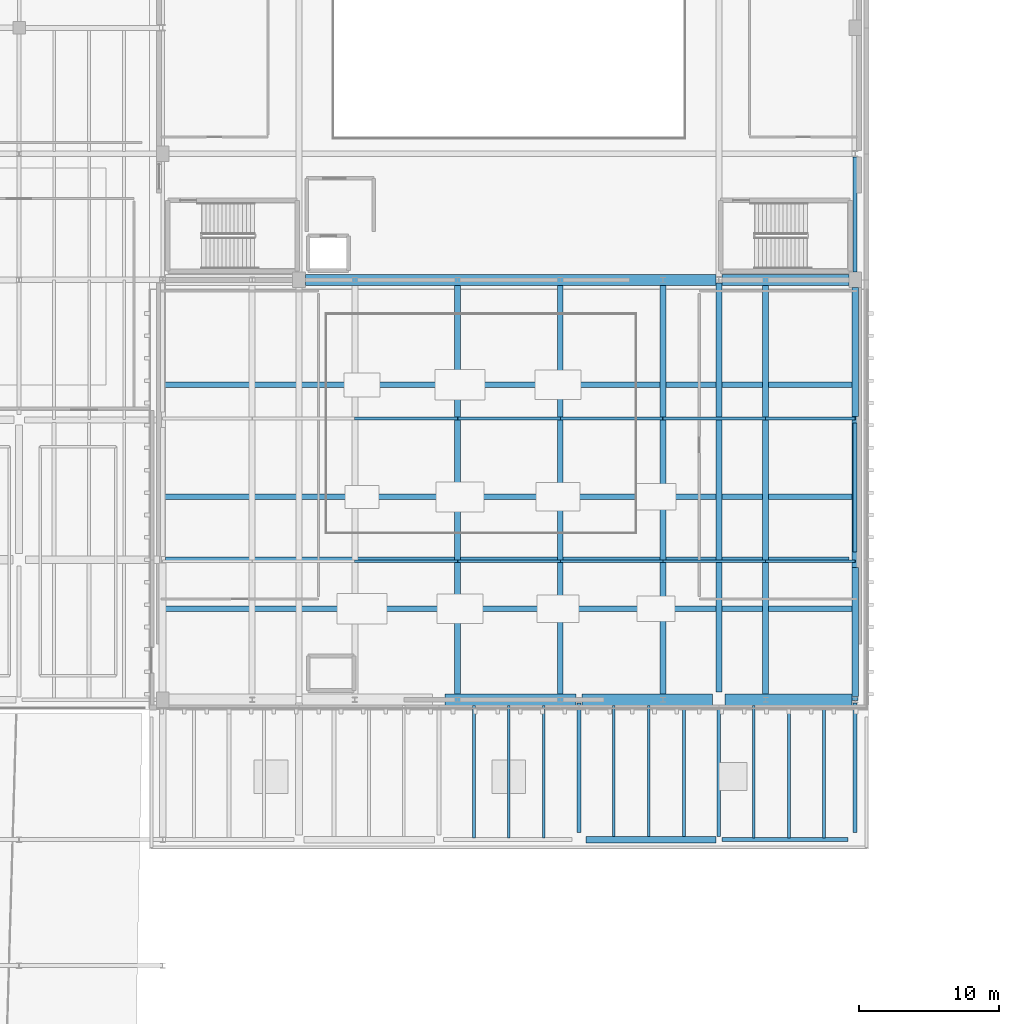
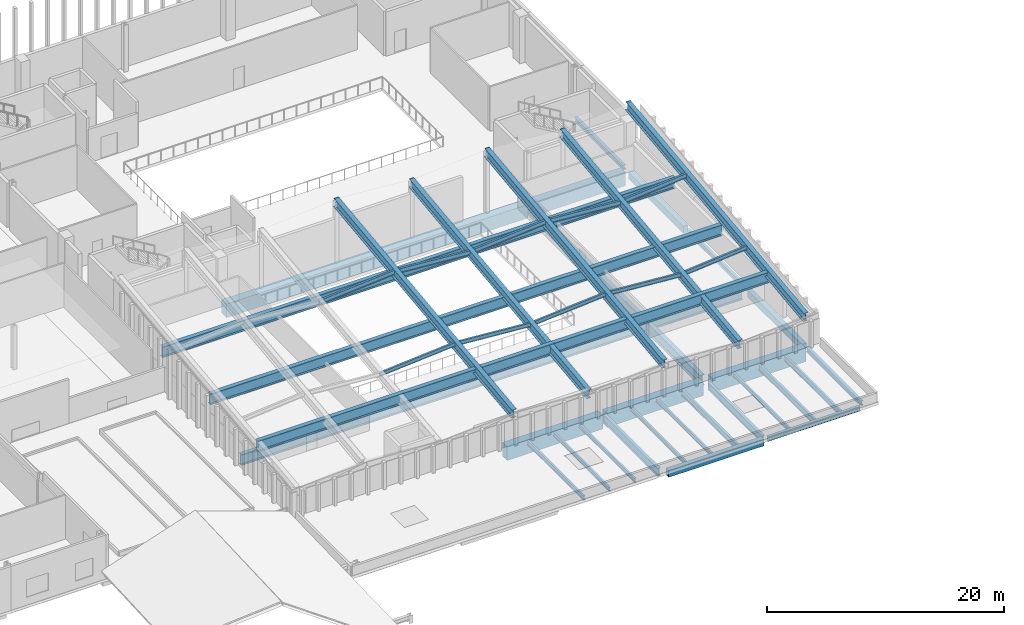
# One storey, part 13 of 30: 33 beams, 10 members.
"""IFC4 building model written with IfcOpenShell, lengths in metres."""

import ifcopenshell
import ifcopenshell.guid

model = None  # the IFC model being written
_history = None  # IfcOwnerHistory: only IFC2X3 demands one
_inside = {}  # id of a spatial element -> (the spatial element, [elements in it])
_under = {}  # id of a project, library or spatial element -> (it, [spatial elements below it])
_declared = {}  # id of a project -> (the project, [libraries it declares])
_typed = {}  # id of a type object -> (the type object, [elements of that type])
_made_of = {}  # id of a material, layer set ... -> (it, [elements and type objects made of it])


def new_model(schema):
    """Start an empty IFC model of exactly this schema.

    Asked for "IFC4X3", IfcOpenShell would pick the latest addendum, in which some entities
    have other attributes; the version numbers below select the first issue.
    IFC2X3 requires an IfcOwnerHistory on every rooted entity: one is made here for all.
    """
    global model, _history
    if schema == "IFC4X3":
        model = ifcopenshell.file(schema_version=(4, 3, 0, 0))
    else:
        model = ifcopenshell.file(schema=schema)
    _inside.clear()
    _under.clear()
    _declared.clear()
    _typed.clear()
    _made_of.clear()
    _history = None
    if model.schema == "IFC2X3":
        org = make("IfcOrganization", Name="unknown")
        user = make(
            "IfcPersonAndOrganization",
            ThePerson=make("IfcPerson", FamilyName="unknown"),
            TheOrganization=org,
        )
        app = make(
            "IfcApplication",
            ApplicationDeveloper=org,
            Version="unknown",
            ApplicationFullName="unknown",
            ApplicationIdentifier="unknown",
        )
        _history = make(
            "IfcOwnerHistory",
            OwningUser=user,
            OwningApplication=app,
            ChangeAction="ADDED",
            CreationDate=0,
        )
    return model


def make(cls, **values):
    """One entity of the class cls with the attributes given. An attribute that is None is left unset."""
    return model.create_entity(
        cls, **{name: value for name, value in values.items() if value is not None}
    )


def rooted(cls, **values):
    """An entity with a GlobalId (a new one), such as an element, a storey or a relation."""
    return make(cls, GlobalId=ifcopenshell.guid.new(), OwnerHistory=_history, **values)


def si_unit(unit_type, name, prefix=None):
    """IfcSIUnit, for example si_unit("LENGTHUNIT", "METRE", prefix="MILLI")."""
    return make("IfcSIUnit", UnitType=unit_type, Prefix=prefix, Name=name)


def assignment(units):
    """IfcUnitAssignment: the units of a project."""
    return None if units is None else make("IfcUnitAssignment", Units=units)


def point(xyz):
    """IfcCartesianPoint."""
    return None if xyz is None else make("IfcCartesianPoint", Coordinates=xyz)


def direction(xyz):
    """IfcDirection."""
    return None if xyz is None else make("IfcDirection", DirectionRatios=xyz)


def frame(location, z_axis=None, x_axis=None):
    """IfcAxis2Placement3D, a coordinate frame: its origin and axes. An axis left out is left unset."""
    return make(
        "IfcAxis2Placement3D",
        Location=point(location),
        Axis=direction(z_axis),
        RefDirection=direction(x_axis),
    )


def frame_2d(location, x_axis=None):
    """IfcAxis2Placement2D, a coordinate frame in the plane: its origin and x axis."""
    return make(
        "IfcAxis2Placement2D", Location=point(location), RefDirection=direction(x_axis)
    )


def origin():
    """The frame at (0, 0, 0) with its axes left unset."""
    return frame((0.0, 0.0, 0.0))


def origin_2d():
    """The frame at (0, 0) in the plane with its x axis left unset."""
    return frame_2d((0.0, 0.0))


def place(relative_to, where):
    """IfcLocalPlacement: puts the frame where relative to a parent placement (None: the world)."""
    return make(
        "IfcLocalPlacement", PlacementRelTo=relative_to, RelativePlacement=where
    )


def context(
    kind, dimensions, precision=None, world=None, true_north=None, identifier=None
):
    """IfcGeometricRepresentationContext, for example the 3D "Model" context."""
    return make(
        "IfcGeometricRepresentationContext",
        ContextIdentifier=identifier,
        ContextType=kind,
        CoordinateSpaceDimension=dimensions,
        Precision=precision,
        WorldCoordinateSystem=world,
        TrueNorth=true_north,
    )


def subcontext(parent, identifier, kind, view, scale=None):
    """IfcGeometricRepresentationSubContext, for example "Body" below "Model"."""
    return make(
        "IfcGeometricRepresentationSubContext",
        ContextIdentifier=identifier,
        ContextType=kind,
        ParentContext=parent,
        TargetScale=scale,
        TargetView=view,
    )


def project(units=None, contexts=None):
    """IfcProject with its units and contexts."""
    return rooted(
        "IfcProject",
        Name="project",
        RepresentationContexts=contexts,
        UnitsInContext=assignment(units),
    )


def spatial(cls, under=None, at=None, **own):
    """A site, building, storey or space (cls), placed at a placement, below another one or the project."""
    s = rooted(cls, ObjectPlacement=at, **own)
    if under is not None:
        _under.setdefault(under.id(), (under, []))[1].append(s)
    return s


def profile(cls, at=None, kind="AREA", **sizes):
    """A parametric profile (cls). Its sizes go by their IFC names, for example OverallWidth=200.0."""
    return make(cls, ProfileType=kind, Position=at, **sizes)


def rectangle(**sizes):
    """IfcRectangleProfileDef."""
    return profile("IfcRectangleProfileDef", **sizes)


def i_section(**sizes):
    """IfcIShapeProfileDef."""
    return profile("IfcIShapeProfileDef", **sizes)


def extrude(swept, where, along, depth):
    """IfcExtrudedAreaSolid: the profile swept, set in the frame where, extruded along a direction by depth."""
    return make(
        "IfcExtrudedAreaSolid",
        SweptArea=swept,
        Position=where,
        ExtrudedDirection=direction(along),
        Depth=depth,
    )


def shape(context_of_items, identifier, shape_type, items):
    """IfcShapeRepresentation: the items that make up one representation, for example the "Body"."""
    return make(
        "IfcShapeRepresentation",
        ContextOfItems=context_of_items,
        RepresentationIdentifier=identifier,
        RepresentationType=shape_type,
        Items=items,
    )


def material(Name=None, Category=None):
    """IfcMaterial."""
    return make("IfcMaterial", Name=Name, Category=Category)


def material_profile(
    of_material, cross_section, Name=None, Category=None, Priority=None
):
    """IfcMaterialProfile: a cross section and its material."""
    return make(
        "IfcMaterialProfile",
        Name=Name,
        Material=of_material,
        Profile=cross_section,
        Priority=Priority,
        Category=Category,
    )


def profile_set(profiles, Name=None, composite=None):
    """IfcMaterialProfileSet."""
    return make(
        "IfcMaterialProfileSet",
        Name=Name,
        MaterialProfiles=profiles,
        CompositeProfile=composite,
    )


def made_of(thing, what):
    """Note that an element or type object is made of a material, layer set ...; save() writes the relation."""
    if what is not None:
        _made_of.setdefault(what.id(), (what, []))[1].append(thing)
    return thing


def type_object(cls, material=None, **own):
    """A type object (cls), such as IfcWallType, which elements share."""
    return made_of(rooted(cls, **own), material)


def element(
    cls,
    number,
    at=None,
    inside=None,
    cuts=None,
    type_object=None,
    material=None,
    context=None,
    identifier="Body",
    shape_type=None,
    held_by="IfcProductDefinitionShape",
    body=None,
    shapes=None,
    **own,
):
    """One element of the class cls, such as IfcWall. Its Tag is "e" and its number.

    at: its placement. inside: the storey or other place that contains it. cuts: it is an
    opening in that element (IfcRelVoidsElement). A single representation is given by context,
    identifier, shape_type and body (its items); several are given by shapes. held_by: the class
    of the entity that holds the representations. save() writes the other relations.
    """
    e = rooted(cls, Tag="e%d" % number, ObjectPlacement=at, **own)
    if body is not None:
        shapes = [shape(context, identifier, shape_type, body)]
    if shapes is not None:
        e.Representation = make(held_by, Representations=shapes)
    if inside is not None:
        _inside.setdefault(inside.id(), (inside, []))[1].append(e)
    if cuts is not None:
        rooted(
            "IfcRelVoidsElement", RelatingBuildingElement=cuts, RelatedOpeningElement=e
        )
    if type_object is not None:
        _typed.setdefault(type_object.id(), (type_object, []))[1].append(e)
    return made_of(e, material)


def aggregate(whole, parts):
    """IfcRelAggregates: a whole, such as a stair, and the parts it consists of."""
    return rooted("IfcRelAggregates", RelatingObject=whole, RelatedObjects=parts)


def save(model, path):
    """Write the relations noted so far, then the file.

    IfcRelAggregates (storeys below a building ...), IfcRelContainedInSpatialStructure (elements
    in a storey), IfcRelDefinesByType, IfcRelAssociatesMaterial and IfcRelDeclares: one each for
    every whole, place, type object, material and project.
    """
    for whole, parts in _under.values():
        aggregate(whole, parts)
    for where, things in _inside.values():
        rooted(
            "IfcRelContainedInSpatialStructure",
            RelatedElements=things,
            RelatingStructure=where,
        )
    for kind, things in _typed.values():
        rooted("IfcRelDefinesByType", RelatedObjects=things, RelatingType=kind)
    for what, things in _made_of.values():
        rooted("IfcRelAssociatesMaterial", RelatedObjects=things, RelatingMaterial=what)
    for by, libraries in _declared.values():
        rooted("IfcRelDeclares", RelatingContext=by, RelatedDefinitions=libraries)
    model.write(path)


model = new_model("IFC4")

# Units and contexts
model_context = context("Model", 3, precision=1e-05, world=origin(), true_north=direction((0.0, 1.0)))
body_context = subcontext(model_context, "Body", "Model", "MODEL_VIEW")
ifc_project = project(units=[si_unit("LENGTHUNIT", "METRE"), si_unit("AREAUNIT", "SQUARE_METRE"), si_unit("VOLUMEUNIT", "CUBIC_METRE"), si_unit("PLANEANGLEUNIT", "RADIAN"), si_unit("MASSUNIT", "GRAM", prefix="KILO")], contexts=[model_context])

# Site, building, storey
site_placement = place(None, origin())
site = spatial("IfcSite", under=ifc_project, at=site_placement, CompositionType="ELEMENT")
building_placement = place(site_placement, origin())
building = spatial("IfcBuilding", under=site, at=building_placement, Name="Trimount Lyric Opera House", CompositionType="ELEMENT")
storey_placement = place(building_placement, frame((0.0, 0.0, 24.800048828125)))
storey = spatial("IfcBuildingStorey", under=building, at=storey_placement, Name="L05", CompositionType="ELEMENT", Elevation=24.800048828125)

# Beams
ifc_material_1 = material(Name="Steel ASTM A992 Grade 50", Category="steel")
ifc_material_profile_1 = material_profile(ifc_material_1, i_section(OverallWidth=0.424072265625, OverallDepth=0.947021484375, WebThickness=0.02392578125, FlangeThickness=0.042724609375, FilletRadius=0.02392578125, at=origin_2d()), Name="W36X302")
ifc_profile_set_1 = profile_set([ifc_material_profile_1], Name="Steel ASTM A992 Grade 50")
beam_type_1 = type_object("IfcBeamType", Name="B-01", PredefinedType="BEAM", material=ifc_profile_set_1)
for number, where, z_axis, x_axis, name in (
    (1, (85.33154296875, 54.0, 2.576416015625), (0.0, 0.992758415213, 0.120127969367), (-1.0, 0.0, 0.0), "Auditorium folded roof girder 4"),
    (2, (100.005615234375, 54.0, 2.576416015625), (0.0, 0.992758415213, 0.120127969367), (-1.0, 0.0, 0.0), "Auditorium folded roof girder 6"),
    (3, (113.739990234375, 54.0, 2.576416015625), (0.0, 0.992758415213, 0.120127969367), (-1.0, 0.0, 0.0), "Auditorium folded roof girder 8"),
):
    element("IfcBeam", number, at=place(storey_placement, frame(where, z_axis=z_axis, x_axis=x_axis)), inside=storey, type_object=beam_type_1, Name=name, PredefinedType="BEAM", context=body_context, shape_type="SweptSolid", body=[
        extrude(i_section(OverallWidth=0.424072265625, OverallDepth=0.947021484375, WebThickness=0.02392578125, FlangeThickness=0.042724609375, FilletRadius=0.02392578125, at=origin_2d()), origin(), (0.0, 0.0, 1.0), 30.21875),
    ])
ifc_material_2 = material(Name="Steel ASTM A992 Grade 50", Category="steel")
ifc_material_profile_2 = material_profile(ifc_material_2, i_section(OverallWidth=0.4189453125, OverallDepth=0.927001953125, WebThickness=0.019287109375, FlangeThickness=0.031982421875, FilletRadius=0.02392578125, at=origin_2d()), Name="W36X231")
ifc_profile_set_2 = profile_set([ifc_material_profile_2], Name="Steel ASTM A992 Grade 50")
beam_type_2 = type_object("IfcBeamType", Name="B-02", PredefinedType="BEAM", material=ifc_profile_set_2)
for number, where, z_axis, x_axis, name in (
    (4, (92.66845703125, 54.0, 2.00634765625), (0.0, 0.992758415213, 0.120127969367), (-1.0, 0.0, 0.0), "Auditorium folded roof girder 5"),
    (5, (107.3427734375, 54.0, 2.00634765625), (0.0, 0.992758415213, 0.120127969367), (-1.0, 0.0, 0.0), "Auditorium folded roof girder 7"),
):
    element("IfcBeam", number, at=place(storey_placement, frame(where, z_axis=z_axis, x_axis=x_axis)), inside=storey, type_object=beam_type_2, Name=name, PredefinedType="BEAM", context=body_context, shape_type="SweptSolid", body=[
        extrude(i_section(OverallWidth=0.4189453125, OverallDepth=0.927001953125, WebThickness=0.019287109375, FlangeThickness=0.031982421875, FilletRadius=0.02392578125, at=origin_2d()), origin(), (0.0, 0.0, 1.0), 30.21875),
    ])
ifc_material_3 = material(Name="Steel ASTM A992 Grade 50", Category="steel")
ifc_material_profile_3 = material_profile(ifc_material_3, i_section(OverallWidth=0.2919921875, OverallDepth=0.845947265625, WebThickness=0.015380859375, FlangeThickness=0.0244140625, FilletRadius=0.01806640625, at=origin_2d()), Name="W33X141")
ifc_profile_set_3 = profile_set([ifc_material_profile_3], Name="Steel ASTM A992 Grade 50")
beam_type_3 = type_object("IfcBeamType", Name="B-05", PredefinedType="BEAM", material=ifc_profile_set_3)
beam_1_placement = place(storey_placement, frame((94.0, 44.5, -0.72314453125), z_axis=(0.0, 1.0, 0.0), x_axis=(-1.0, 0.0, 0.0)))
element("IfcBeam", 6, at=beam_1_placement, inside=storey, type_object=beam_type_3, Name="L05 girder Y-1325", PredefinedType="BEAM", context=body_context, shape_type="SweptSolid", body=[
    extrude(i_section(OverallWidth=0.2919921875, OverallDepth=0.845947265625, WebThickness=0.015380859375, FlangeThickness=0.0244140625, FilletRadius=0.01806640625, at=origin_2d()), origin(), (0.0, 0.0, 1.0), 9.267578125),
])
ifc_material_4 = material(Name="Steel ASTM A992 Grade 50", Category="steel")
ifc_material_profile_4 = material_profile(ifc_material_4, i_section(OverallWidth=0.26708984375, OverallDepth=0.761962890625, WebThickness=0.014404296875, FlangeThickness=0.021484375, FilletRadius=0.01708984375, at=origin_2d()), Name="W30X116")
ifc_profile_set_4 = profile_set([ifc_material_profile_4], Name="Steel ASTM A992 Grade 50")
beam_type_4 = type_object("IfcBeamType", Name="B-07", PredefinedType="BEAM", material=ifc_profile_set_4)
beam_2_placement = place(storey_placement, frame((104.0, 44.232421875, -0.68115234375), z_axis=(0.0, 1.0, 0.0), x_axis=(-1.0, 0.0, 0.0)))
element("IfcBeam", 7, at=beam_2_placement, inside=storey, type_object=beam_type_4, Name="L05 girder Y-1326", PredefinedType="BEAM", context=body_context, shape_type="SweptSolid", body=[
    extrude(i_section(OverallWidth=0.26708984375, OverallDepth=0.761962890625, WebThickness=0.014404296875, FlangeThickness=0.021484375, FilletRadius=0.01708984375, at=origin_2d()), origin(), (0.0, 0.0, 1.0), 9.217529296875),
])
ifc_material_5 = material(Name="Steel ASTM A992 Grade 50", Category="steel")
ifc_material_profile_5 = material_profile(ifc_material_5, i_section(OverallWidth=0.22802734375, OverallDepth=0.60205078125, WebThickness=0.010498046875, FlangeThickness=0.014892578125, FilletRadius=0.012939453125, at=origin_2d()), Name="W24X68")
ifc_profile_set_5 = profile_set([ifc_material_profile_5], Name="Steel ASTM A992 Grade 50")
beam_type_5 = type_object("IfcBeamType", Name="J-01", PredefinedType="BEAM", material=ifc_profile_set_5)
beam_3_placement = place(storey_placement, frame((101.5, 44.220947265625, -0.60107421875), z_axis=(0.0, 1.0, 0.0), x_axis=(-1.0, 0.0, 0.0)))
element("IfcBeam", 8, at=beam_3_placement, inside=storey, type_object=beam_type_5, Name="L05 composite floor joist 1294", PredefinedType="BEAM", context=body_context, shape_type="SweptSolid", body=[
    extrude(i_section(OverallWidth=0.22802734375, OverallDepth=0.60205078125, WebThickness=0.010498046875, FlangeThickness=0.014892578125, FilletRadius=0.012939453125, at=origin_2d()), origin(), (0.0, 0.0, 1.0), 9.383056640625),
])
beam_4_placement = place(storey_placement, frame((109.0, 44.136962890625, -0.60107421875), z_axis=(0.0, 1.0, 0.0), x_axis=(-1.0, 0.0, 0.0)))
element("IfcBeam", 9, at=beam_4_placement, inside=storey, type_object=beam_type_5, Name="L05 composite floor joist 1296", PredefinedType="BEAM", context=body_context, shape_type="SweptSolid", body=[
    extrude(i_section(OverallWidth=0.22802734375, OverallDepth=0.60205078125, WebThickness=0.010498046875, FlangeThickness=0.014892578125, FilletRadius=0.012939453125, at=origin_2d()), origin(), (0.0, 0.0, 1.0), 9.467041015625),
])
ifc_material_6 = material(Name="Steel ASTM A992 Grade 50", Category="steel")
ifc_material_profile_6 = material_profile(ifc_material_6, i_section(OverallWidth=0.2099609375, OverallDepth=0.532958984375, WebThickness=0.01025390625, FlangeThickness=0.015625, FilletRadius=0.012939453125, at=origin_2d()), Name="W21X62")
ifc_profile_set_6 = profile_set([ifc_material_profile_6], Name="Steel ASTM A992 Grade 50")
beam_type_6 = type_object("IfcBeamType", Name="J-02", PredefinedType="BEAM", material=ifc_profile_set_6)
beam_5_placement = place(storey_placement, frame((111.5, 44.136962890625, -0.566650390625), z_axis=(0.0, 1.0, 0.0), x_axis=(-1.0, 0.0, 0.0)))
element("IfcBeam", 10, at=beam_5_placement, inside=storey, type_object=beam_type_6, Name="L05 composite floor joist 1297", PredefinedType="BEAM", context=body_context, shape_type="SweptSolid", body=[
    extrude(i_section(OverallWidth=0.2099609375, OverallDepth=0.532958984375, WebThickness=0.01025390625, FlangeThickness=0.015625, FilletRadius=0.012939453125, at=origin_2d()), origin(), (0.0, 0.0, 1.0), 9.467041015625),
])
ifc_material_7 = material(Name="Steel ASTM A992 Grade 50", Category="steel")
ifc_material_profile_7 = material_profile(ifc_material_7, i_section(OverallWidth=0.19091796875, OverallDepth=0.45703125, WebThickness=0.009033203125, FlangeThickness=0.014404296875, FilletRadius=0.010986328125, at=origin_2d()), Name="W18X50")
ifc_profile_set_7 = profile_set([ifc_material_profile_7], Name="Steel ASTM A992 Grade 50")
beam_type_7 = type_object("IfcBeamType", Name="J-04", PredefinedType="BEAM", material=ifc_profile_set_7)
beam_6_placement = place(storey_placement, frame((86.5, 44.136962890625, -0.528564453125), z_axis=(0.0, 1.0, 0.0), x_axis=(-1.0, 0.0, 0.0)))
element("IfcBeam", 11, at=beam_6_placement, inside=storey, type_object=beam_type_7, Name="L05 composite floor joist 1289", PredefinedType="BEAM", context=body_context, shape_type="SweptSolid", body=[
    extrude(i_section(OverallWidth=0.19091796875, OverallDepth=0.45703125, WebThickness=0.009033203125, FlangeThickness=0.014404296875, FilletRadius=0.010986328125, at=origin_2d()), origin(), (0.0, 0.0, 1.0), 9.467041015625),
])
ifc_material_8 = material(Name="Steel ASTM A992 Grade 50", Category="steel")
ifc_material_profile_8 = material_profile(ifc_material_8, i_section(OverallWidth=0.180908203125, OverallDepth=0.4169921875, WebThickness=0.010986328125, FlangeThickness=0.018310546875, FilletRadius=0.010986328125, at=origin_2d()), Name="W16X57")
ifc_profile_set_8 = profile_set([ifc_material_profile_8], Name="Steel ASTM A992 Grade 50")
beam_type_8 = type_object("IfcBeamType", Name="J-05", PredefinedType="BEAM", material=ifc_profile_set_8)
beam_7_placement = place(storey_placement, frame((89.0, 44.136962890625, -0.508544921875), z_axis=(0.0, 1.0, 0.0), x_axis=(-1.0, 0.0, 0.0)))
element("IfcBeam", 12, at=beam_7_placement, inside=storey, type_object=beam_type_8, Name="L05 composite floor joist 1290", PredefinedType="BEAM", context=body_context, shape_type="SweptSolid", body=[
    extrude(i_section(OverallWidth=0.180908203125, OverallDepth=0.4169921875, WebThickness=0.010986328125, FlangeThickness=0.018310546875, FilletRadius=0.010986328125, at=origin_2d()), origin(), (0.0, 0.0, 1.0), 9.467041015625),
])
beam_8_placement = place(storey_placement, frame((96.5, 44.220947265625, -0.508544921875), z_axis=(0.0, 1.0, 0.0), x_axis=(-1.0, 0.0, 0.0)))
element("IfcBeam", 13, at=beam_8_placement, inside=storey, type_object=beam_type_8, Name="L05 composite floor joist 1292", PredefinedType="BEAM", context=body_context, shape_type="SweptSolid", body=[
    extrude(i_section(OverallWidth=0.180908203125, OverallDepth=0.4169921875, WebThickness=0.010986328125, FlangeThickness=0.018310546875, FilletRadius=0.010986328125, at=origin_2d()), origin(), (0.0, 0.0, 1.0), 9.383056640625),
])
ifc_material_9 = material(Name="Steel ASTM A992 Grade 50", Category="steel")
ifc_material_profile_9 = material_profile(ifc_material_9, i_section(OverallWidth=0.177978515625, OverallDepth=0.404052734375, WebThickness=0.007568359375, FlangeThickness=0.010986328125, FilletRadius=0.010009765625, at=origin_2d()), Name="W16X36")
ifc_profile_set_9 = profile_set([ifc_material_profile_9], Name="Steel ASTM A992 Grade 50")
beam_type_9 = type_object("IfcBeamType", Name="J-06", PredefinedType="BEAM", material=ifc_profile_set_9)
beam_9_placement = place(storey_placement, frame((91.5, 44.136962890625, -0.501953125), z_axis=(0.0, 1.0, 0.0), x_axis=(-1.0, 0.0, 0.0)))
element("IfcBeam", 14, at=beam_9_placement, inside=storey, type_object=beam_type_9, Name="L05 composite floor joist 1291", PredefinedType="BEAM", context=body_context, shape_type="SweptSolid", body=[
    extrude(i_section(OverallWidth=0.177978515625, OverallDepth=0.404052734375, WebThickness=0.007568359375, FlangeThickness=0.010986328125, FilletRadius=0.010009765625, at=origin_2d()), origin(), (0.0, 0.0, 1.0), 9.467041015625),
])
beam_10_placement = place(storey_placement, frame((99.0, 44.220947265625, -0.501953125), z_axis=(0.0, 1.0, 0.0), x_axis=(-1.0, 0.0, 0.0)))
element("IfcBeam", 15, at=beam_10_placement, inside=storey, type_object=beam_type_9, Name="L05 composite floor joist 1293", PredefinedType="BEAM", context=body_context, shape_type="SweptSolid", body=[
    extrude(i_section(OverallWidth=0.177978515625, OverallDepth=0.404052734375, WebThickness=0.007568359375, FlangeThickness=0.010986328125, FilletRadius=0.010009765625, at=origin_2d()), origin(), (0.0, 0.0, 1.0), 9.383056640625),
])
beam_11_placement = place(storey_placement, frame((106.5, 44.136962890625, -0.501953125), z_axis=(0.0, 1.0, 0.0), x_axis=(-1.0, 0.0, 0.0)))
element("IfcBeam", 16, at=beam_11_placement, inside=storey, type_object=beam_type_9, Name="L05 composite floor joist 1295", PredefinedType="BEAM", context=body_context, shape_type="SweptSolid", body=[
    extrude(i_section(OverallWidth=0.177978515625, OverallDepth=0.404052734375, WebThickness=0.007568359375, FlangeThickness=0.010986328125, FilletRadius=0.010009765625, at=origin_2d()), origin(), (0.0, 0.0, 1.0), 9.467041015625),
])

# Members
ifc_material_10 = material(Name="Steel ASTM A992 Grade 50", Category="steel")
ifc_material_profile_10 = material_profile(ifc_material_10, i_section(OverallWidth=0.177978515625, OverallDepth=0.404052734375, WebThickness=0.007568359375, FlangeThickness=0.010986328125, FilletRadius=0.010009765625, at=origin_2d()), Name="W16X36")
ifc_profile_set_10 = profile_set([ifc_material_profile_10], Name="Steel ASTM A992 Grade 50")
member_type_1 = type_object("IfcMemberType", Name="PR-01", PredefinedType="CHORD", material=ifc_profile_set_10)
member_1_placement = place(storey_placement, frame((77.994384765625, 63.89990234375, 3.204345703125), z_axis=(0.996995257509, 0.0, 0.077462613592), x_axis=(0.0, 1.0, 0.0)))
element("IfcMember", 17, at=member_1_placement, inside=storey, type_object=member_type_1, Name="Auditorium folded roof purlin 3.1", PredefinedType="CHORD", context=body_context, shape_type="SweptSolid", body=[
    extrude(i_section(OverallWidth=0.177978515625, OverallDepth=0.404052734375, WebThickness=0.007568359375, FlangeThickness=0.010986328125, FilletRadius=0.010009765625, at=origin_2d()), origin(), (0.0, 0.0, 1.0), 7.359375),
])
member_2_placement = place(storey_placement, frame((85.33154296875, 63.89990234375, 3.7744140625), z_axis=(0.996995058437, 0.0, -0.077465175744), x_axis=(0.0, 1.0, 0.0)))
element("IfcMember", 18, at=member_2_placement, inside=storey, type_object=member_type_1, Name="Auditorium folded roof purlin 4.1", PredefinedType="CHORD", context=body_context, shape_type="SweptSolid", body=[
    extrude(i_section(OverallWidth=0.177978515625, OverallDepth=0.404052734375, WebThickness=0.007568359375, FlangeThickness=0.010986328125, FilletRadius=0.010009765625, at=origin_2d()), origin(), (0.0, 0.0, 1.0), 7.359130859375),
])
for number, where, z_axis, x_axis, name in (
    (19, (92.66845703125, 63.89990234375, 3.204345703125), (0.996995257509, 0.0, 0.077462613592), (0.0, 1.0, 0.0), "Auditorium folded roof purlin 5.1"),
    (20, (100.005615234375, 63.89990234375, 3.7744140625), (0.996995257509, 0.0, -0.077462613592), (0.0, 1.0, 0.0), "Auditorium folded roof purlin 6.1"),
):
    element("IfcMember", number, at=place(storey_placement, frame(where, z_axis=z_axis, x_axis=x_axis)), inside=storey, type_object=member_type_1, Name=name, PredefinedType="CHORD", context=body_context, shape_type="SweptSolid", body=[
        extrude(i_section(OverallWidth=0.177978515625, OverallDepth=0.404052734375, WebThickness=0.007568359375, FlangeThickness=0.010986328125, FilletRadius=0.010009765625, at=origin_2d()), origin(), (0.0, 0.0, 1.0), 7.359375),
    ])
member_3_placement = place(storey_placement, frame((107.3427734375, 63.89990234375, 3.204345703125), z_axis=(0.996053023158, 0.0, 0.088760211009), x_axis=(0.0, 1.0, 0.0)))
element("IfcMember", 21, at=member_3_placement, inside=storey, type_object=member_type_1, Name="Auditorium folded roof purlin 7.1", PredefinedType="CHORD", context=body_context, shape_type="SweptSolid", body=[
    extrude(i_section(OverallWidth=0.177978515625, OverallDepth=0.404052734375, WebThickness=0.007568359375, FlangeThickness=0.010986328125, FilletRadius=0.010009765625, at=origin_2d()), origin(), (0.0, 0.0, 1.0), 6.422607421875),
])
ifc_material_11 = material(Name="Steel ASTM A992 Grade 50", Category="steel")
ifc_material_profile_11 = material_profile(ifc_material_11, i_section(OverallWidth=0.19091796875, OverallDepth=0.45703125, WebThickness=0.009033203125, FlangeThickness=0.014404296875, FilletRadius=0.010986328125, at=origin_2d()), Name="W18X50")
ifc_profile_set_11 = profile_set([ifc_material_profile_11], Name="Steel ASTM A992 Grade 50")
member_type_2 = type_object("IfcMemberType", Name="PR-02", PredefinedType="CHORD", material=ifc_profile_set_11)
member_4_placement = place(storey_placement, frame((77.994384765625, 74.10009765625, 4.4384765625), z_axis=(0.996995257509, 0.0, 0.077462613592), x_axis=(0.0, 1.0, 0.0)))
element("IfcMember", 22, at=member_4_placement, inside=storey, type_object=member_type_2, Name="Auditorium folded roof purlin 3.2", PredefinedType="CHORD", context=body_context, shape_type="SweptSolid", body=[
    extrude(i_section(OverallWidth=0.19091796875, OverallDepth=0.45703125, WebThickness=0.009033203125, FlangeThickness=0.014404296875, FilletRadius=0.010986328125, at=origin_2d()), origin(), (0.0, 0.0, 1.0), 7.359375),
])
member_5_placement = place(storey_placement, frame((85.33154296875, 74.10009765625, 5.008544921875), z_axis=(0.996995058437, 0.0, -0.077465175744), x_axis=(0.0, 1.0, 0.0)))
element("IfcMember", 23, at=member_5_placement, inside=storey, type_object=member_type_2, Name="Auditorium folded roof purlin 4.2", PredefinedType="CHORD", context=body_context, shape_type="SweptSolid", body=[
    extrude(i_section(OverallWidth=0.19091796875, OverallDepth=0.45703125, WebThickness=0.009033203125, FlangeThickness=0.014404296875, FilletRadius=0.010986328125, at=origin_2d()), origin(), (0.0, 0.0, 1.0), 7.359130859375),
])
for number, where, z_axis, x_axis, name in (
    (24, (92.66845703125, 74.10009765625, 4.4384765625), (0.996995257509, 0.0, 0.077462613592), (0.0, 1.0, 0.0), "Auditorium folded roof purlin 5.2"),
    (25, (100.005615234375, 74.10009765625, 5.008544921875), (0.996995257509, 0.0, -0.077462613592), (0.0, 1.0, 0.0), "Auditorium folded roof purlin 6.2"),
):
    element("IfcMember", number, at=place(storey_placement, frame(where, z_axis=z_axis, x_axis=x_axis)), inside=storey, type_object=member_type_2, Name=name, PredefinedType="CHORD", context=body_context, shape_type="SweptSolid", body=[
        extrude(i_section(OverallWidth=0.19091796875, OverallDepth=0.45703125, WebThickness=0.009033203125, FlangeThickness=0.014404296875, FilletRadius=0.010986328125, at=origin_2d()), origin(), (0.0, 0.0, 1.0), 7.359375),
    ])
member_6_placement = place(storey_placement, frame((107.3427734375, 74.10009765625, 4.4384765625), z_axis=(0.996053023158, 0.0, 0.088760211009), x_axis=(0.0, 1.0, 0.0)))
element("IfcMember", 26, at=member_6_placement, inside=storey, type_object=member_type_2, Name="Auditorium folded roof purlin 7.2", PredefinedType="CHORD", context=body_context, shape_type="SweptSolid", body=[
    extrude(i_section(OverallWidth=0.19091796875, OverallDepth=0.45703125, WebThickness=0.009033203125, FlangeThickness=0.014404296875, FilletRadius=0.010986328125, at=origin_2d()), origin(), (0.0, 0.0, 1.0), 6.422607421875),
])

# Beams
ifc_material_12 = material(Name="Steel ASTM A992 Grade 50", Category="steel")
ifc_material_profile_12 = material_profile(ifc_material_12, i_section(OverallWidth=0.281982421875, OverallDepth=0.467041015625, WebThickness=0.01220703125, FlangeThickness=0.01953125, FilletRadius=0.012939453125, at=origin_2d()), Name="W18X86")
ifc_profile_set_12 = profile_set([ifc_material_profile_12], Name="Steel ASTM A992 Grade 50")
beam_type_10 = type_object("IfcBeamType", Name="SP-01", PredefinedType="SPANDREL", material=ifc_profile_set_12)
beam_12_placement = place(storey_placement, frame((104.2109375, 44.0, -0.5234375), z_axis=(1.0, 0.0, 0.0), x_axis=(0.0, 1.0, 0.0)))
element("IfcBeam", 27, at=beam_12_placement, inside=storey, type_object=beam_type_10, Name="L05 girder X-1248", PredefinedType="SPANDREL", context=body_context, shape_type="SweptSolid", body=[
    extrude(i_section(OverallWidth=0.281982421875, OverallDepth=0.467041015625, WebThickness=0.01220703125, FlangeThickness=0.01953125, FilletRadius=0.012939453125, at=origin_2d()), origin(), (0.0, 0.0, 1.0), 9.029052734375),
])
beam_13_placement = place(storey_placement, frame((113.739990234375, 44.5, -0.533447265625), z_axis=(0.0, 1.0, 0.0), x_axis=(-1.0, 0.0, 0.0)))
element("IfcBeam", 28, at=beam_13_placement, inside=storey, type_object=beam_type_10, Name="L05 girder Y-1329", PredefinedType="SPANDREL", context=body_context, shape_type="SweptSolid", body=[
    extrude(i_section(OverallWidth=0.281982421875, OverallDepth=0.467041015625, WebThickness=0.01220703125, FlangeThickness=0.01953125, FilletRadius=0.012939453125, at=origin_2d()), origin(), (0.0, 0.0, 1.0), 9.267578125),
])
beam_14_placement = place(storey_placement, frame((113.739990234375, 64.550048828125, -0.533447265625), z_axis=(0.0, 1.0, 0.0), x_axis=(-1.0, 0.0, 0.0)))
element("IfcBeam", 29, at=beam_14_placement, inside=storey, type_object=beam_type_10, Name="L05 girder Y-1331", PredefinedType="SPANDREL", context=body_context, shape_type="SweptSolid", body=[
    extrude(i_section(OverallWidth=0.281982421875, OverallDepth=0.467041015625, WebThickness=0.01220703125, FlangeThickness=0.01953125, FilletRadius=0.012939453125, at=origin_2d()), origin(), (0.0, 0.0, 1.0), 9.217529296875),
])
beam_15_placement = place(storey_placement, frame((113.739990234375, 84.550048828125, -0.533447265625), z_axis=(0.0, 1.0, 0.0), x_axis=(-1.0, 0.0, 0.0)))
element("IfcBeam", 30, at=beam_15_placement, inside=storey, type_object=beam_type_10, Name="L05 girder Y-1333", PredefinedType="SPANDREL", context=body_context, shape_type="SweptSolid", body=[
    extrude(i_section(OverallWidth=0.281982421875, OverallDepth=0.467041015625, WebThickness=0.01220703125, FlangeThickness=0.01953125, FilletRadius=0.012939453125, at=origin_2d()), origin(), (0.0, 0.0, 1.0), 8.217529296875),
])
ifc_material_13 = material(Name="Concrete C40/50", Category="concrete")
ifc_material_profile_13 = material_profile(ifc_material_13, rectangle(XDim=0.449951171875, YDim=0.699951171875, at=origin_2d()), Name="RC450X700")
ifc_profile_set_13 = profile_set([ifc_material_profile_13], Name="Concrete C40/50")
beam_type_11 = type_object("IfcBeamType", Name="SP-02", PredefinedType="SPANDREL", material=ifc_profile_set_13)
beam_16_placement = place(storey_placement, frame((94.5, 44.0, -0.64013671875), z_axis=(1.0, 0.0, 0.0), x_axis=(0.0, 1.0, 0.0)))
element("IfcBeam", 31, at=beam_16_placement, inside=storey, type_object=beam_type_11, Name="L05 girder X-1247", PredefinedType="SPANDREL", context=body_context, shape_type="SweptSolid", body=[
    extrude(rectangle(XDim=0.449951171875, YDim=0.699951171875, at=origin_2d()), origin(), (0.0, 0.0, 1.0), 9.2890625),
])
for number, where, z_axis, x_axis, name in (
    (32, (113.739990234375, 54.232421875, -0.650146484375), (0.0, 1.0, 0.0), (-1.0, 0.0, 0.0), "L05 girder Y-1330"),
    (33, (113.739990234375, 74.232421875, -0.650146484375), (0.0, 1.0, 0.0), (-1.0, 0.0, 0.0), "L05 girder Y-1332"),
):
    element("IfcBeam", number, at=place(storey_placement, frame(where, z_axis=z_axis, x_axis=x_axis)), inside=storey, type_object=beam_type_11, Name=name, PredefinedType="SPANDREL", context=body_context, shape_type="SweptSolid", body=[
        extrude(rectangle(XDim=0.449951171875, YDim=0.699951171875, at=origin_2d()), origin(), (0.0, 0.0, 1.0), 9.217529296875),
    ])
ifc_material_14 = material(Name="Steel ASTM A992 Grade 50", Category="steel")
ifc_material_profile_14 = material_profile(ifc_material_14, i_section(OverallWidth=0.404052734375, OverallDepth=1.117919921875, WebThickness=0.026123046875, FlangeThickness=0.044921875, FilletRadius=0.02490234375, at=origin_2d()), Name="W44X335")
ifc_profile_set_14 = profile_set([ifc_material_profile_14], Name="Steel ASTM A992 Grade 50")
beam_type_12 = type_object("IfcBeamType", Name="TG-01", PredefinedType="USERDEFINED", material=ifc_profile_set_14)
beam_17_placement = place(storey_placement, frame((64.470947265625, 64.0, -0.859130859375), z_axis=(1.0, 0.0, 0.0), x_axis=(0.0, 1.0, 0.0)))
element("IfcBeam", 34, at=beam_17_placement, inside=storey, type_object=beam_type_12, Name="L05 girder X-1266", ObjectType="TRANSFER_GIRDER", PredefinedType="USERDEFINED", context=body_context, shape_type="SweptSolid", body=[
    extrude(i_section(OverallWidth=0.404052734375, OverallDepth=1.117919921875, WebThickness=0.026123046875, FlangeThickness=0.044921875, FilletRadius=0.02490234375, at=origin_2d()), origin(), (0.0, 0.0, 1.0), 48.819091796875),
])
for number, where, z_axis, x_axis, name in (
    (35, (64.050048828125, 60.5, 2.800048828125), (1.0, 0.0, 0.0), (0.0, 1.0, 0.0), "L05 auditorium acoustic cloud support girder 1"),
    (36, (64.050048828125, 68.5, 2.800048828125), (1.0, 0.0, 0.0), (0.0, 1.0, 0.0), "L05 auditorium acoustic cloud support girder 2"),
    (37, (64.050048828125, 76.5, 2.800048828125), (1.0, 0.0, 0.0), (0.0, 1.0, 0.0), "L05 auditorium acoustic cloud support girder 3"),
):
    element("IfcBeam", number, at=place(storey_placement, frame(where, z_axis=z_axis, x_axis=x_axis)), inside=storey, type_object=beam_type_12, Name=name, ObjectType="TRANSFER_GIRDER", PredefinedType="USERDEFINED", context=body_context, shape_type="SweptSolid", body=[
        extrude(i_section(OverallWidth=0.404052734375, OverallDepth=1.117919921875, WebThickness=0.026123046875, FlangeThickness=0.044921875, FilletRadius=0.02490234375, at=origin_2d()), origin(), (0.0, 0.0, 1.0), 49.89990234375),
    ])
ifc_material_15 = material(Name="Steel ASTM A992 Grade 50", Category="steel")
ifc_material_profile_15 = material_profile(ifc_material_15, i_section(OverallWidth=0.427001953125, OverallDepth=1.092041015625, WebThickness=0.031005859375, FlangeThickness=0.055908203125, FilletRadius=0.02490234375, at=origin_2d()), Name="W40X397")
ifc_profile_set_15 = profile_set([ifc_material_profile_15], Name="Steel ASTM A992 Grade 50")
beam_type_13 = type_object("IfcBeamType", Name="TG-02", PredefinedType="USERDEFINED", material=ifc_profile_set_15)
beam_18_placement = place(storey_placement, frame((104.0, 54.550048828125, -0.845947265625), z_axis=(0.0, 1.0, 0.0), x_axis=(-1.0, 0.0, 0.0)))
element("IfcBeam", 38, at=beam_18_placement, inside=storey, type_object=beam_type_13, Name="L05 girder Y-1327", ObjectType="TRANSFER_GIRDER", PredefinedType="USERDEFINED", context=body_context, shape_type="SweptSolid", body=[
    extrude(i_section(OverallWidth=0.427001953125, OverallDepth=1.092041015625, WebThickness=0.031005859375, FlangeThickness=0.055908203125, FilletRadius=0.02490234375, at=origin_2d()), origin(), (0.0, 0.0, 1.0), 29.217529296875),
])
ifc_material_16 = material(Name="Concrete C50/60", Category="concrete")
ifc_material_profile_16 = material_profile(ifc_material_16, rectangle(XDim=0.800048828125, YDim=1.39990234375, at=origin_2d()), Name="RC800X1400")
ifc_profile_set_16 = profile_set([ifc_material_profile_16], Name="Concrete C50/60")
beam_type_14 = type_object("IfcBeamType", Name="TG-04", PredefinedType="USERDEFINED", material=ifc_profile_set_16)
for number, where, z_axis, x_axis, name in (
    (39, (84.449951171875, 54.0, -1.0), (1.0, 0.0, 0.0), (0.0, 1.0, 0.0), "L05 girder X-1257"),
    (40, (94.2109375, 54.0, -1.0), (1.0, 0.0, 0.0), (0.0, 1.0, 0.0), "L05 girder X-1258"),
):
    element("IfcBeam", number, at=place(storey_placement, frame(where, z_axis=z_axis, x_axis=x_axis)), inside=storey, type_object=beam_type_14, Name=name, ObjectType="TRANSFER_GIRDER", PredefinedType="USERDEFINED", context=body_context, shape_type="SweptSolid", body=[
        extrude(rectangle(XDim=0.800048828125, YDim=1.39990234375, at=origin_2d()), origin(), (0.0, 0.0, 1.0), 9.339111328125),
    ])
beam_19_placement = place(storey_placement, frame((104.449951171875, 54.0, -1.0), z_axis=(1.0, 0.0, 0.0), x_axis=(0.0, 1.0, 0.0)))
element("IfcBeam", 41, at=beam_19_placement, inside=storey, type_object=beam_type_14, Name="L05 girder X-1259", ObjectType="TRANSFER_GIRDER", PredefinedType="USERDEFINED", context=body_context, shape_type="SweptSolid", body=[
    extrude(rectangle(XDim=0.800048828125, YDim=1.39990234375, at=origin_2d()), origin(), (0.0, 0.0, 1.0), 9.0791015625),
])
beam_20_placement = place(storey_placement, frame((74.449951171875, 84.0, -1.0), z_axis=(1.0, 0.0, 0.0), x_axis=(0.0, 1.0, 0.0)))
element("IfcBeam", 42, at=beam_20_placement, inside=storey, type_object=beam_type_14, Name="L05 girder X-1275", ObjectType="TRANSFER_GIRDER", PredefinedType="USERDEFINED", context=body_context, shape_type="SweptSolid", body=[
    extrude(rectangle(XDim=0.800048828125, YDim=1.39990234375, at=origin_2d()), origin(), (0.0, 0.0, 1.0), 29.339111328125),
])
beam_21_placement = place(storey_placement, frame((104.2109375, 84.0, -1.0), z_axis=(1.0, 0.0, 0.0), x_axis=(0.0, 1.0, 0.0)))
element("IfcBeam", 43, at=beam_21_placement, inside=storey, type_object=beam_type_14, Name="L05 girder X-1276", ObjectType="TRANSFER_GIRDER", PredefinedType="USERDEFINED", context=body_context, shape_type="SweptSolid", body=[
    extrude(rectangle(XDim=0.800048828125, YDim=1.39990234375, at=origin_2d()), origin(), (0.0, 0.0, 1.0), 9.0791015625),
])

save(model, "model.ifc")
